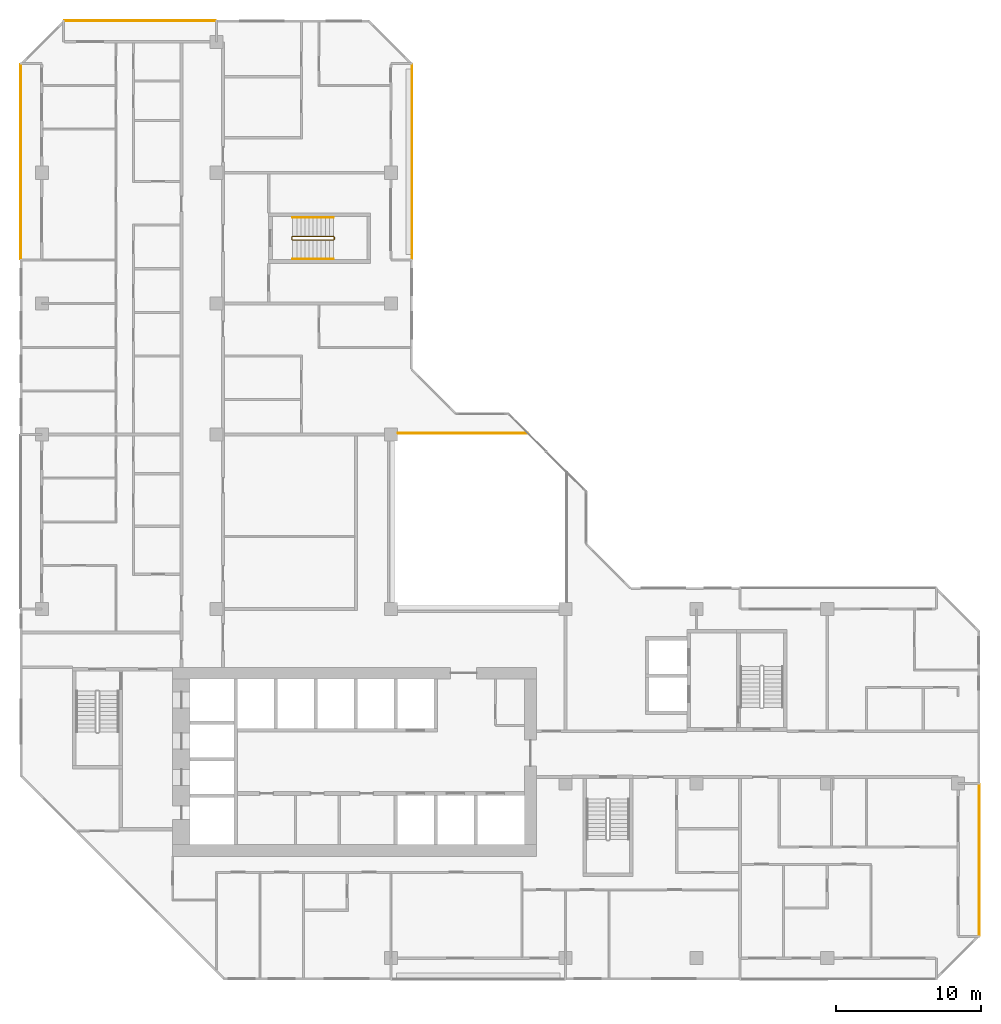
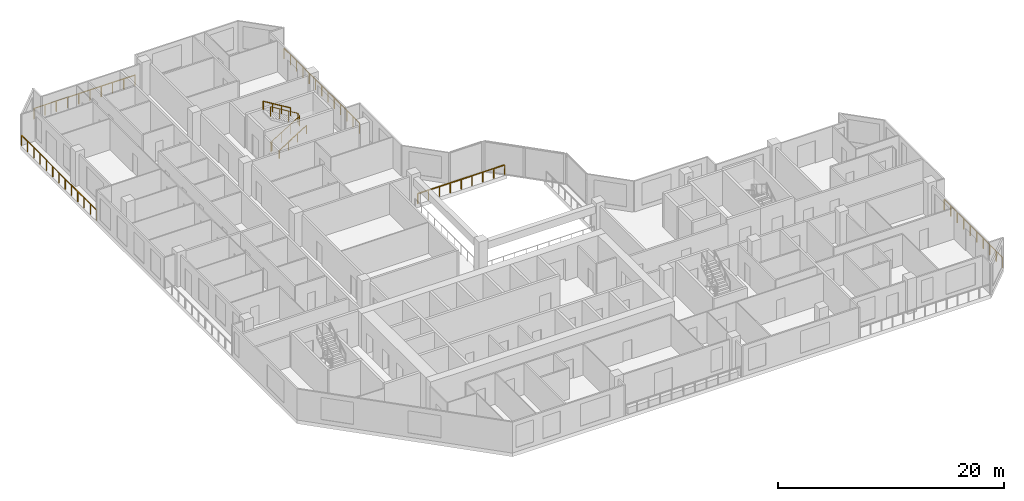
# One storey, part 15 of 15: 8 railings.
"""IFC4 building model written with IfcOpenShell, lengths in metres."""

from ifc_helpers import new_model, si_unit, direction, frame, origin, origin_2d, place, context, subcontext, project, spatial, rectangle, extrude, material, type_object, element, save


model = new_model("IFC4")

# Units and contexts
model_context = context("Model", 3, precision=1e-05, world=origin(), true_north=direction((0.0, 1.0)))
body_context = subcontext(model_context, "Body", "Model", "MODEL_VIEW")
ifc_project = project(units=[si_unit("LENGTHUNIT", "METRE"), si_unit("AREAUNIT", "SQUARE_METRE"), si_unit("VOLUMEUNIT", "CUBIC_METRE"), si_unit("PLANEANGLEUNIT", "RADIAN"), si_unit("MASSUNIT", "GRAM", prefix="KILO")], contexts=[model_context])

# Site, building, storey
site_placement = place(None, origin())
site = spatial("IfcSite", under=ifc_project, at=site_placement, CompositionType="ELEMENT")
building_placement = place(site_placement, origin())
building = spatial("IfcBuilding", under=site, at=building_placement, Name="Chenar Terraces", CompositionType="ELEMENT")
storey_placement = place(building_placement, frame((0.0, 0.0, 176.14990234375)))
storey = spatial("IfcBuildingStorey", under=building, at=storey_placement, Name="L40", CompositionType="ELEMENT", Elevation=176.14990234375)

# Railings
ifc_material_1 = material(Name="Powder-coated steel", Category="steel")
railing_type_1 = type_object("IfcRailingType", Name="Guard 1100 steel rail with glass infill", PredefinedType="GUARDRAIL", material=ifc_material_1)
railing_1_placement = place(storey_placement, frame((24.5, 36.10009765625, 0.0)))
element("IfcRailing", 1, at=railing_1_placement, inside=storey, type_object=railing_type_1, Name="Guard L40-2", PredefinedType="GUARDRAIL", context=body_context, shape_type="SweptSolid", body=[
    extrude(rectangle(XDim=0.06005859375, YDim=0.06005859375, at=origin_2d()), frame((0.0, 0.0, 1.070068359375), z_axis=(1.0, 0.0, 0.0), x_axis=(0.0, 1.0, 0.0)), (0.0, 0.0, 1.0), 8.89990234375),
    extrude(rectangle(XDim=0.050048828125, YDim=0.050048828125, at=origin_2d()), origin(), (0.0, 0.0, 1.0), 1.0400390625),
    extrude(rectangle(XDim=0.050048828125, YDim=0.050048828125, at=origin_2d()), frame((1.112548828125, 0.0, 0.0)), (0.0, 0.0, 1.0), 1.0400390625),
    extrude(rectangle(XDim=0.050048828125, YDim=0.050048828125, at=origin_2d()), frame((2.22509765625, 0.0, 0.0)), (0.0, 0.0, 1.0), 1.0400390625),
    extrude(rectangle(XDim=0.050048828125, YDim=0.050048828125, at=origin_2d()), frame((3.33740234375, 0.0, 0.0)), (0.0, 0.0, 1.0), 1.0400390625),
    extrude(rectangle(XDim=0.050048828125, YDim=0.050048828125, at=origin_2d()), frame((4.449951171875, 0.0, 0.0)), (0.0, 0.0, 1.0), 1.0400390625),
    extrude(rectangle(XDim=0.050048828125, YDim=0.050048828125, at=origin_2d()), frame((5.5625, 0.0, 0.0)), (0.0, 0.0, 1.0), 1.0400390625),
    extrude(rectangle(XDim=0.050048828125, YDim=0.050048828125, at=origin_2d()), frame((6.6748046875, 0.0, 0.0)), (0.0, 0.0, 1.0), 1.0400390625),
    extrude(rectangle(XDim=0.050048828125, YDim=0.050048828125, at=origin_2d()), frame((7.787353515625, 0.0, 0.0)), (0.0, 0.0, 1.0), 1.0400390625),
    extrude(rectangle(XDim=0.050048828125, YDim=0.050048828125, at=origin_2d()), frame((8.89990234375, 0.0, 0.0)), (0.0, 0.0, 1.0), 1.0400390625),
])
ifc_material_2 = material(Name="Stainless steel and glass", Category="steel")
railing_type_2 = type_object("IfcRailingType", Name="Loggia guard 1150", PredefinedType="GUARDRAIL", material=ifc_material_2)
railing_2_placement = place(storey_placement, frame((25.449951171875, 48.074951171875, 0.0)))
element("IfcRailing", 2, at=railing_2_placement, inside=storey, type_object=railing_type_2, Name="Loggia guard", PredefinedType="GUARDRAIL", context=body_context, shape_type="SweptSolid", body=[
    extrude(rectangle(XDim=0.048095703125, YDim=0.048095703125, at=origin_2d()), frame((0.0, 0.0, 1.1259765625), z_axis=(0.0, 1.0, 0.0), x_axis=(-1.0, 0.0, 0.0)), (0.0, 0.0, 1.0), 13.35009765625),
    extrude(rectangle(XDim=0.0419921875, YDim=0.0419921875, at=origin_2d()), origin(), (0.0, 0.0, 1.0), 1.101806640625),
    extrude(rectangle(XDim=0.0419921875, YDim=0.0419921875, at=origin_2d()), frame((0.0, 1.112548828125, 0.0)), (0.0, 0.0, 1.0), 1.101806640625),
    extrude(rectangle(XDim=0.0419921875, YDim=0.0419921875, at=origin_2d()), frame((0.0, 2.22509765625, 0.0)), (0.0, 0.0, 1.0), 1.101806640625),
    extrude(rectangle(XDim=0.0419921875, YDim=0.0419921875, at=origin_2d()), frame((0.0, 3.33740234375, 0.0)), (0.0, 0.0, 1.0), 1.101806640625),
    extrude(rectangle(XDim=0.0419921875, YDim=0.0419921875, at=origin_2d()), frame((0.0, 4.449951171875, 0.0)), (0.0, 0.0, 1.0), 1.101806640625),
    extrude(rectangle(XDim=0.0419921875, YDim=0.0419921875, at=origin_2d()), frame((0.0, 5.5625, 0.0)), (0.0, 0.0, 1.0), 1.101806640625),
    extrude(rectangle(XDim=0.0419921875, YDim=0.0419921875, at=origin_2d()), frame((0.0, 6.675048828125, 0.0)), (0.0, 0.0, 1.0), 1.101806640625),
    extrude(rectangle(XDim=0.0419921875, YDim=0.0419921875, at=origin_2d()), frame((0.0, 7.78759765625, 0.0)), (0.0, 0.0, 1.0), 1.101806640625),
    extrude(rectangle(XDim=0.0419921875, YDim=0.0419921875, at=origin_2d()), frame((0.0, 8.900146484375, 0.0)), (0.0, 0.0, 1.0), 1.101806640625),
    extrude(rectangle(XDim=0.0419921875, YDim=0.0419921875, at=origin_2d()), frame((0.0, 10.0126953125, 0.0)), (0.0, 0.0, 1.0), 1.101806640625),
    extrude(rectangle(XDim=0.0419921875, YDim=0.0419921875, at=origin_2d()), frame((0.0, 11.125, 0.0)), (0.0, 0.0, 1.0), 1.101806640625),
    extrude(rectangle(XDim=0.0419921875, YDim=0.0419921875, at=origin_2d()), frame((0.0, 12.237548828125, 0.0)), (0.0, 0.0, 1.0), 1.101806640625),
    extrude(rectangle(XDim=0.0419921875, YDim=0.0419921875, at=origin_2d()), frame((0.0, 13.35009765625, 0.0)), (0.0, 0.0, 1.0), 1.101806640625),
])
railing_3_placement = place(storey_placement, frame((64.449951171875, 1.574951171875, 0.0)))
element("IfcRailing", 3, at=railing_3_placement, inside=storey, type_object=railing_type_2, Name="Loggia guard", PredefinedType="GUARDRAIL", context=body_context, shape_type="SweptSolid", body=[
    extrude(rectangle(XDim=0.048095703125, YDim=0.048095703125, at=origin_2d()), frame((0.0, 0.0, 1.1259765625), z_axis=(0.0, 1.0, 0.0), x_axis=(-1.0, 0.0, 0.0)), (0.0, 0.0, 1.0), 10.35009765625),
    extrude(rectangle(XDim=0.0419921875, YDim=0.0419921875, at=origin_2d()), origin(), (0.0, 0.0, 1.0), 1.101806640625),
    extrude(rectangle(XDim=0.0419921875, YDim=0.0419921875, at=origin_2d()), frame((0.0, 1.14990234375, 0.0)), (0.0, 0.0, 1.0), 1.101806640625),
    extrude(rectangle(XDim=0.0419921875, YDim=0.0419921875, at=origin_2d()), frame((0.0, 2.300048828125, 0.0)), (0.0, 0.0, 1.0), 1.101806640625),
    extrude(rectangle(XDim=0.0419921875, YDim=0.0419921875, at=origin_2d()), frame((0.0, 3.449951171875, 0.0)), (0.0, 0.0, 1.0), 1.101806640625),
    extrude(rectangle(XDim=0.0419921875, YDim=0.0419921875, at=origin_2d()), frame((0.0, 4.60009765625, 0.0)), (0.0, 0.0, 1.0), 1.101806640625),
    extrude(rectangle(XDim=0.0419921875, YDim=0.0419921875, at=origin_2d()), frame((0.0, 5.75, 0.0)), (0.0, 0.0, 1.0), 1.101806640625),
    extrude(rectangle(XDim=0.0419921875, YDim=0.0419921875, at=origin_2d()), frame((0.0, 6.900146484375, 0.0)), (0.0, 0.0, 1.0), 1.101806640625),
    extrude(rectangle(XDim=0.0419921875, YDim=0.0419921875, at=origin_2d()), frame((0.0, 8.050048828125, 0.0)), (0.0, 0.0, 1.0), 1.101806640625),
    extrude(rectangle(XDim=0.0419921875, YDim=0.0419921875, at=origin_2d()), frame((0.0, 9.2001953125, 0.0)), (0.0, 0.0, 1.0), 1.101806640625),
    extrude(rectangle(XDim=0.0419921875, YDim=0.0419921875, at=origin_2d()), frame((0.0, 10.35009765625, 0.0)), (0.0, 0.0, 1.0), 1.101806640625),
])
railing_4_placement = place(storey_placement, frame((11.925048828125, 64.449951171875, 0.0)))
element("IfcRailing", 4, at=railing_4_placement, inside=storey, type_object=railing_type_2, Name="Loggia guard", PredefinedType="GUARDRAIL", context=body_context, shape_type="SweptSolid", body=[
    extrude(rectangle(XDim=0.048095703125, YDim=0.048095703125, at=origin_2d()), frame((0.0, 0.0, 1.1259765625), z_axis=(-1.0, 0.0, 0.0), x_axis=(0.0, -1.0, 0.0)), (0.0, 0.0, 1.0), 10.35009765625),
    extrude(rectangle(XDim=0.0419921875, YDim=0.0419921875, at=origin_2d()), origin(), (0.0, 0.0, 1.0), 1.101806640625),
    extrude(rectangle(XDim=0.0419921875, YDim=0.0419921875, at=origin_2d()), frame((-1.14990234375, 0.0, 0.0)), (0.0, 0.0, 1.0), 1.101806640625),
    extrude(rectangle(XDim=0.0419921875, YDim=0.0419921875, at=origin_2d()), frame((-2.300048828125, 0.0, 0.0)), (0.0, 0.0, 1.0), 1.101806640625),
    extrude(rectangle(XDim=0.0419921875, YDim=0.0419921875, at=origin_2d()), frame((-3.449951171875, 0.0, 0.0)), (0.0, 0.0, 1.0), 1.101806640625),
    extrude(rectangle(XDim=0.0419921875, YDim=0.0419921875, at=origin_2d()), frame((-4.60009765625, 0.0, 0.0)), (0.0, 0.0, 1.0), 1.101806640625),
    extrude(rectangle(XDim=0.0419921875, YDim=0.0419921875, at=origin_2d()), frame((-5.75, 0.0, 0.0)), (0.0, 0.0, 1.0), 1.101806640625),
    extrude(rectangle(XDim=0.0419921875, YDim=0.0419921875, at=origin_2d()), frame((-6.900146484375, 0.0, 0.0)), (0.0, 0.0, 1.0), 1.101806640625),
    extrude(rectangle(XDim=0.0419921875, YDim=0.0419921875, at=origin_2d()), frame((-8.050048828125, 0.0, 0.0)), (0.0, 0.0, 1.0), 1.101806640625),
    extrude(rectangle(XDim=0.0419921875, YDim=0.0419921875, at=origin_2d()), frame((-9.2001953125, 0.0, 0.0)), (0.0, 0.0, 1.0), 1.101806640625),
    extrude(rectangle(XDim=0.0419921875, YDim=0.0419921875, at=origin_2d()), frame((-10.35009765625, 0.0, 0.0)), (0.0, 0.0, 1.0), 1.101806640625),
])
railing_5_placement = place(storey_placement, frame((-1.449951171875, 61.425048828125, 0.0)))
element("IfcRailing", 5, at=railing_5_placement, inside=storey, type_object=railing_type_2, Name="Loggia guard", PredefinedType="GUARDRAIL", context=body_context, shape_type="SweptSolid", body=[
    extrude(rectangle(XDim=0.048095703125, YDim=0.048095703125, at=origin_2d()), frame((0.0, 0.0, 1.1259765625), z_axis=(0.0, -1.0, 0.0), x_axis=(1.0, 0.0, 0.0)), (0.0, 0.0, 1.0), 13.35009765625),
    extrude(rectangle(XDim=0.0419921875, YDim=0.0419921875, at=origin_2d()), origin(), (0.0, 0.0, 1.0), 1.101806640625),
    extrude(rectangle(XDim=0.0419921875, YDim=0.0419921875, at=origin_2d()), frame((0.0, -1.112548828125, 0.0)), (0.0, 0.0, 1.0), 1.101806640625),
    extrude(rectangle(XDim=0.0419921875, YDim=0.0419921875, at=origin_2d()), frame((0.0, -2.22509765625, 0.0)), (0.0, 0.0, 1.0), 1.101806640625),
    extrude(rectangle(XDim=0.0419921875, YDim=0.0419921875, at=origin_2d()), frame((0.0, -3.33740234375, 0.0)), (0.0, 0.0, 1.0), 1.101806640625),
    extrude(rectangle(XDim=0.0419921875, YDim=0.0419921875, at=origin_2d()), frame((0.0, -4.449951171875, 0.0)), (0.0, 0.0, 1.0), 1.101806640625),
    extrude(rectangle(XDim=0.0419921875, YDim=0.0419921875, at=origin_2d()), frame((0.0, -5.5625, 0.0)), (0.0, 0.0, 1.0), 1.101806640625),
    extrude(rectangle(XDim=0.0419921875, YDim=0.0419921875, at=origin_2d()), frame((0.0, -6.675048828125, 0.0)), (0.0, 0.0, 1.0), 1.101806640625),
    extrude(rectangle(XDim=0.0419921875, YDim=0.0419921875, at=origin_2d()), frame((0.0, -7.78759765625, 0.0)), (0.0, 0.0, 1.0), 1.101806640625),
    extrude(rectangle(XDim=0.0419921875, YDim=0.0419921875, at=origin_2d()), frame((0.0, -8.900146484375, 0.0)), (0.0, 0.0, 1.0), 1.101806640625),
    extrude(rectangle(XDim=0.0419921875, YDim=0.0419921875, at=origin_2d()), frame((0.0, -10.0126953125, 0.0)), (0.0, 0.0, 1.0), 1.101806640625),
    extrude(rectangle(XDim=0.0419921875, YDim=0.0419921875, at=origin_2d()), frame((0.0, -11.125, 0.0)), (0.0, 0.0, 1.0), 1.101806640625),
    extrude(rectangle(XDim=0.0419921875, YDim=0.0419921875, at=origin_2d()), frame((0.0, -12.237548828125, 0.0)), (0.0, 0.0, 1.0), 1.101806640625),
    extrude(rectangle(XDim=0.0419921875, YDim=0.0419921875, at=origin_2d()), frame((0.0, -13.35009765625, 0.0)), (0.0, 0.0, 1.0), 1.101806640625),
])
ifc_material_3 = material(Name="Powder-coated steel", Category="steel")
railing_type_3 = type_object("IfcRailingType", Name="Stair guard 1100", PredefinedType="GUARDRAIL", material=ifc_material_3)
railing_6_placement = place(storey_placement, frame((17.25, 49.625, 3.75)))
element("IfcRailing", 6, at=railing_6_placement, inside=storey, type_object=railing_type_3, Name="L40 ST4 stair guard 1", PredefinedType="GUARDRAIL", context=body_context, shape_type="SweptSolid", body=[
    extrude(rectangle(XDim=0.048095703125, YDim=0.048095703125, at=origin_2d()), frame((0.0, 0.0, 1.076171875), z_axis=(0.854202870247, 0.0, -0.519939858505), x_axis=(0.0, 1.0, 0.0)), (0.0, 0.0, 1.0), 3.278076171875),
    extrude(rectangle(XDim=0.048095703125, YDim=0.048095703125, at=origin_2d()), frame((2.800048828125, 0.0, -0.62841796875), z_axis=(0.270899902878, -0.270899902878, -0.923702595667), x_axis=(0.707106781187, 0.707106781187, 0.0)), (0.0, 0.0, 1.0), 0.184814453125),
    extrude(rectangle(XDim=0.048095703125, YDim=0.048095703125, at=origin_2d()), frame((2.85009765625, -0.050048828125, -0.798828125), z_axis=(0.0, -1.0, 0.0), x_axis=(1.0, 0.0, 0.0)), (0.0, 0.0, 1.0), 0.14990234375),
    extrude(rectangle(XDim=0.048095703125, YDim=0.048095703125, at=origin_2d()), frame((2.85009765625, -0.199951171875, -0.798828125), z_axis=(-0.707106781187, -0.707106781187, 0.0), x_axis=(0.707106781187, -0.707106781187, 0.0)), (0.0, 0.0, 1.0), 0.07080078125),
    extrude(rectangle(XDim=0.048095703125, YDim=0.048095703125, at=origin_2d()), frame((2.800048828125, -0.25, -0.798828125), z_axis=(-0.854202870247, 0.0, -0.519939858505), x_axis=(0.0, -1.0, 0.0)), (0.0, 0.0, 1.0), 3.278076171875),
    extrude(rectangle(XDim=0.048095703125, YDim=0.048095703125, at=origin_2d()), frame((0.0, -0.25, -2.50341796875), z_axis=(-0.270899902878, 0.270899902878, -0.923702595667), x_axis=(-0.707106781187, -0.707106781187, 0.0)), (0.0, 0.0, 1.0), 0.184814453125),
    extrude(rectangle(XDim=0.048095703125, YDim=0.048095703125, at=origin_2d()), frame((-0.050048828125, -0.199951171875, -2.673828125), z_axis=(0.0, 1.0, 0.0), x_axis=(-1.0, 0.0, 0.0)), (0.0, 0.0, 1.0), 0.14990234375),
    extrude(rectangle(XDim=0.0419921875, YDim=0.0419921875, at=origin_2d()), origin(), (0.0, 0.0, 1.0), 1.052001953125),
    extrude(rectangle(XDim=0.0419921875, YDim=0.0419921875, at=origin_2d()), frame((0.933349609375, 0.0, -0.568115234375)), (0.0, 0.0, 1.0), 1.052001953125),
    extrude(rectangle(XDim=0.0419921875, YDim=0.0419921875, at=origin_2d()), frame((1.86669921875, 0.0, -1.13623046875)), (0.0, 0.0, 1.0), 1.052001953125),
    extrude(rectangle(XDim=0.0419921875, YDim=0.0419921875, at=origin_2d()), frame((2.800048828125, 0.0, -1.704345703125)), (0.0, 0.0, 1.0), 1.052001953125),
    extrude(rectangle(XDim=0.0419921875, YDim=0.0419921875, at=origin_2d()), frame((2.85009765625, -0.050048828125, -1.875)), (0.0, 0.0, 1.0), 1.052001953125),
    extrude(rectangle(XDim=0.0419921875, YDim=0.0419921875, at=origin_2d()), frame((2.85009765625, -0.199951171875, -1.875)), (0.0, 0.0, 1.0), 1.052001953125),
    extrude(rectangle(XDim=0.0419921875, YDim=0.0419921875, at=origin_2d()), frame((2.800048828125, -0.25, -1.875)), (0.0, 0.0, 1.0), 1.052001953125),
    extrude(rectangle(XDim=0.0419921875, YDim=0.0419921875, at=origin_2d()), frame((1.86669921875, -0.25, -2.443115234375)), (0.0, 0.0, 1.0), 1.052001953125),
    extrude(rectangle(XDim=0.0419921875, YDim=0.0419921875, at=origin_2d()), frame((0.933349609375, -0.25, -3.01123046875)), (0.0, 0.0, 1.0), 1.052001953125),
    extrude(rectangle(XDim=0.0419921875, YDim=0.0419921875, at=origin_2d()), frame((0.0, -0.25, -3.579345703125)), (0.0, 0.0, 1.0), 1.052001953125),
    extrude(rectangle(XDim=0.0419921875, YDim=0.0419921875, at=origin_2d()), frame((-0.050048828125, -0.199951171875, -3.75)), (0.0, 0.0, 1.0), 1.052001953125),
    extrude(rectangle(XDim=0.0419921875, YDim=0.0419921875, at=origin_2d()), frame((-0.050048828125, -0.050048828125, -3.75)), (0.0, 0.0, 1.0), 1.052001953125),
])
ifc_material_4 = material(Name="Powder-coated steel", Category="steel")
railing_type_4 = type_object("IfcRailingType", Name="Stair handrail 900", PredefinedType="HANDRAIL", material=ifc_material_4)
railing_7_placement = place(storey_placement, frame((17.25, 48.074951171875, 0.170654296875)))
element("IfcRailing", 7, at=railing_7_placement, inside=storey, type_object=railing_type_4, Name="L40 ST4 stair handrail 1", PredefinedType="HANDRAIL", context=body_context, shape_type="SweptSolid", body=[
    extrude(rectangle(XDim=0.048095703125, YDim=0.048095703125, at=origin_2d()), frame((0.0, 0.0, 0.8759765625), z_axis=(0.854202870247, 0.0, 0.519939858505), x_axis=(0.0, 1.0, 0.0)), (0.0, 0.0, 1.0), 3.278076171875),
    extrude(rectangle(XDim=0.0419921875, YDim=0.0419921875, at=origin_2d()), origin(), (0.0, 0.0, 1.0), 0.851806640625),
    extrude(rectangle(XDim=0.0419921875, YDim=0.0419921875, at=origin_2d()), frame((0.933349609375, 0.0, 0.568115234375)), (0.0, 0.0, 1.0), 0.851806640625),
    extrude(rectangle(XDim=0.0419921875, YDim=0.0419921875, at=origin_2d()), frame((1.86669921875, 0.0, 1.13623046875)), (0.0, 0.0, 1.0), 0.851806640625),
    extrude(rectangle(XDim=0.0419921875, YDim=0.0419921875, at=origin_2d()), frame((2.800048828125, 0.0, 1.704345703125)), (0.0, 0.0, 1.0), 0.851806640625),
])
railing_8_placement = place(storey_placement, frame((20.050048828125, 50.925048828125, 2.045654296875)))
element("IfcRailing", 8, at=railing_8_placement, inside=storey, type_object=railing_type_4, Name="L40 ST4 stair handrail 2", PredefinedType="HANDRAIL", context=body_context, shape_type="SweptSolid", body=[
    extrude(rectangle(XDim=0.048095703125, YDim=0.048095703125, at=origin_2d()), frame((0.0, 0.0, 0.8759765625), z_axis=(-0.854202870247, 0.0, 0.519939858505), x_axis=(0.0, -1.0, 0.0)), (0.0, 0.0, 1.0), 3.278076171875),
    extrude(rectangle(XDim=0.0419921875, YDim=0.0419921875, at=origin_2d()), origin(), (0.0, 0.0, 1.0), 0.851806640625),
    extrude(rectangle(XDim=0.0419921875, YDim=0.0419921875, at=origin_2d()), frame((-0.933349609375, 0.0, 0.568115234375)), (0.0, 0.0, 1.0), 0.851806640625),
    extrude(rectangle(XDim=0.0419921875, YDim=0.0419921875, at=origin_2d()), frame((-1.86669921875, 0.0, 1.13623046875)), (0.0, 0.0, 1.0), 0.851806640625),
    extrude(rectangle(XDim=0.0419921875, YDim=0.0419921875, at=origin_2d()), frame((-2.800048828125, 0.0, 1.704345703125)), (0.0, 0.0, 1.0), 0.851806640625),
])

save(model, "model.ifc")
